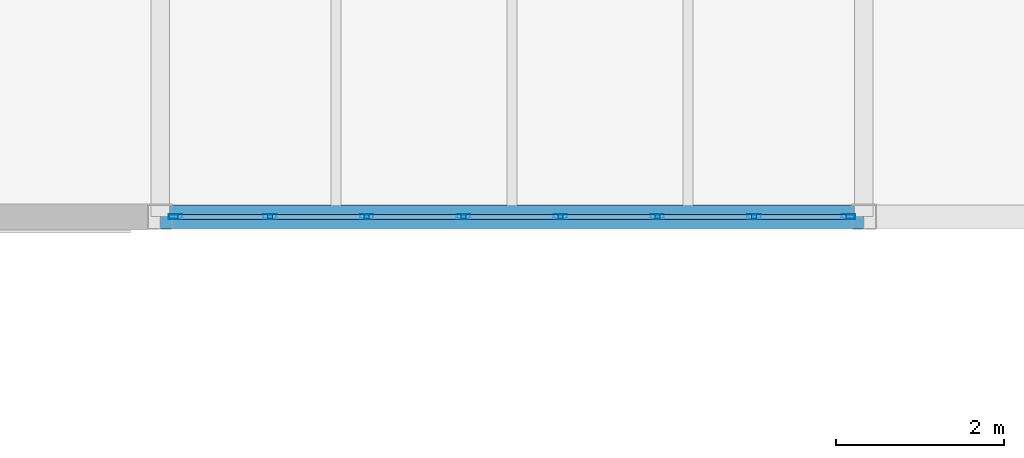
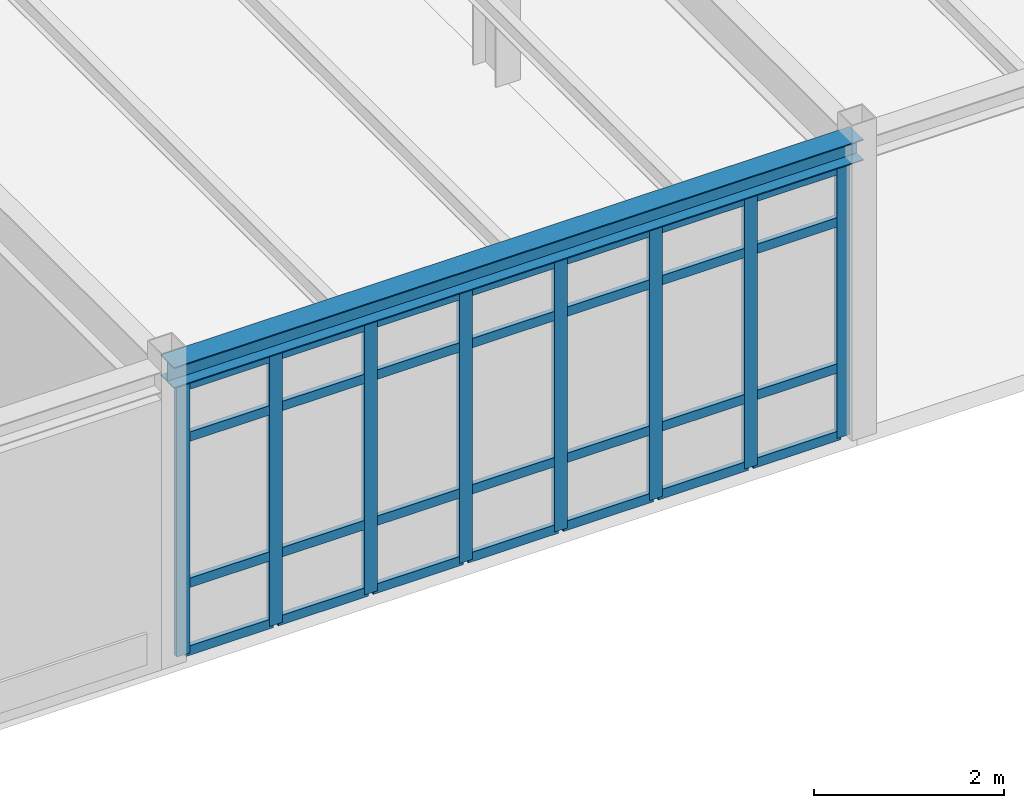
# One storey, part 81 of 165: 36 members, 1 beam, 1 element without a shape of its own.
"""IFC4 building model written with IfcOpenShell, lengths in metres."""

from ifc_helpers import new_model, si_unit, direction, frame, origin, origin_2d, place, context, subcontext, project, spatial, hollow_rectangle, i_section, extrude, material, layer, layer_set, material_profile, profile_set, type_object, element, aggregate, save


model = new_model("IFC4")

# Units and contexts
model_context = context("Model", 3, precision=1e-05, world=origin(), true_north=direction((0.0, 1.0)))
body_context = subcontext(model_context, "Body", "Model", "MODEL_VIEW")
ifc_project = project(units=[si_unit("LENGTHUNIT", "METRE"), si_unit("AREAUNIT", "SQUARE_METRE"), si_unit("VOLUMEUNIT", "CUBIC_METRE"), si_unit("PLANEANGLEUNIT", "RADIAN"), si_unit("MASSUNIT", "GRAM", prefix="KILO")], contexts=[model_context])

# Site, building, storey
site_placement = place(None, origin())
site = spatial("IfcSite", under=ifc_project, at=site_placement, CompositionType="ELEMENT")
building_placement = place(site_placement, origin())
building = spatial("IfcBuilding", under=site, at=building_placement, Name="Montecoro Central Library", CompositionType="ELEMENT")
storey_placement = place(building_placement, frame((0.0, 0.0, 5.10009765625)))
storey = spatial("IfcBuildingStorey", under=building, at=storey_placement, Name="L01", CompositionType="ELEMENT", Elevation=5.10009765625)

# Beam
ifc_material_1 = material(Name="Steel S355", Category="steel")
ifc_material_profile_1 = material_profile(ifc_material_1, i_section(OverallWidth=0.280029296875, OverallDepth=0.27001953125, WebThickness=0.008056640625, FlangeThickness=0.012939453125, at=origin_2d()), Name="HEA 280")
ifc_profile_set_1 = profile_set([ifc_material_profile_1], Name="Steel S355")
beam_type = type_object("IfcBeamType", Name="BM-SP-HEA280", PredefinedType="SPANDREL", material=ifc_profile_set_1)
beam_placement = place(storey_placement, frame((74.804931640625, 81.0, 3.68994140625), z_axis=(1.0, 0.0, 0.0), x_axis=(0.0, 1.0, 0.0)))
element("IfcBeam", 1, at=beam_placement, inside=storey, type_object=beam_type, Name="V2-L01-BX-1011-L", PredefinedType="SPANDREL", context=body_context, shape_type="SweptSolid", body=[
    extrude(i_section(OverallWidth=0.280029296875, OverallDepth=0.27001953125, WebThickness=0.008056640625, FlangeThickness=0.012939453125, at=origin_2d()), origin(), (0.0, 0.0, 1.0), 8.39013671875),
])

# Curtain wall, members
ifc_material_2 = material(Name="Bronze-anodised aluminium and low-E glazing", Category="aluminium")
ifc_layer = layer(ifc_material_2, 0.159912109375)
ifc_layer_set = layer_set([ifc_layer], Name="Bronze-anodised aluminium and low-E glazing")
curtain_wall_type = type_object("IfcCurtainWallType", Name="CWT-010", PredefinedType="NOTDEFINED", material=ifc_layer_set)
curtain_wall_placement = place(storey_placement, origin())
curtain_wall = element("IfcCurtainWall", 2, at=curtain_wall_placement, inside=storey, type_object=curtain_wall_type, Name="V2-L01-CW-S1", PredefinedType="NOTDEFINED")
ifc_material_3 = material(Name="Bronze-anodised aluminium", Category="aluminium")
ifc_material_profile_2 = material_profile(ifc_material_3, hollow_rectangle(XDim=0.06005859375, YDim=0.159912109375, WallThickness=0.00390625, at=origin_2d()), Name="CWM 160x60x4.0")
ifc_profile_set_2 = profile_set([ifc_material_profile_2], Name="Bronze-anodised aluminium")
member_type_1 = type_object("IfcMemberType", Name="CWM-BRZ-60", PredefinedType="MULLION", material=ifc_profile_set_2)
member_1_placement = place(storey_placement, frame((74.98291015625, 81.0, 0.0), z_axis=(0.0, 0.0, 1.0), x_axis=(0.0, 1.0, 0.0)))
member_1 = element("IfcMember", 3, at=member_1_placement, type_object=member_type_1, Name="CW-010 mullion 1", PredefinedType="MULLION", context=body_context, shape_type="SweptSolid", body=[
    extrude(hollow_rectangle(XDim=0.06005859375, YDim=0.159912109375, WallThickness=0.00390625, at=origin_2d()), origin(), (0.0, 0.0, 1.0), 3.47998046875),
])
member_2_placement = place(storey_placement, frame((76.109375, 81.0, 0.0), z_axis=(0.0, 0.0, 1.0), x_axis=(0.0, 1.0, 0.0)))
member_2 = element("IfcMember", 4, at=member_2_placement, type_object=member_type_1, Name="CW-010 mullion 2", PredefinedType="MULLION", context=body_context, shape_type="SweptSolid", body=[
    extrude(hollow_rectangle(XDim=0.06005859375, YDim=0.159912109375, WallThickness=0.00390625, at=origin_2d()), origin(), (0.0, 0.0, 1.0), 3.47998046875),
])
member_3_placement = place(storey_placement, frame((77.265625, 81.0, 0.0), z_axis=(0.0, 0.0, 1.0), x_axis=(0.0, 1.0, 0.0)))
member_3 = element("IfcMember", 5, at=member_3_placement, type_object=member_type_1, Name="CW-010 mullion 3", PredefinedType="MULLION", context=body_context, shape_type="SweptSolid", body=[
    extrude(hollow_rectangle(XDim=0.06005859375, YDim=0.159912109375, WallThickness=0.00390625, at=origin_2d()), origin(), (0.0, 0.0, 1.0), 3.47998046875),
])
member_4_placement = place(storey_placement, frame((78.421875, 81.0, 0.0), z_axis=(0.0, 0.0, 1.0), x_axis=(0.0, 1.0, 0.0)))
member_4 = element("IfcMember", 6, at=member_4_placement, type_object=member_type_1, Name="CW-010 mullion 4", PredefinedType="MULLION", context=body_context, shape_type="SweptSolid", body=[
    extrude(hollow_rectangle(XDim=0.06005859375, YDim=0.159912109375, WallThickness=0.00390625, at=origin_2d()), origin(), (0.0, 0.0, 1.0), 3.47998046875),
])
member_5_placement = place(storey_placement, frame((79.578125, 81.0, 0.0), z_axis=(0.0, 0.0, 1.0), x_axis=(0.0, 1.0, 0.0)))
member_5 = element("IfcMember", 7, at=member_5_placement, type_object=member_type_1, Name="CW-010 mullion 5", PredefinedType="MULLION", context=body_context, shape_type="SweptSolid", body=[
    extrude(hollow_rectangle(XDim=0.06005859375, YDim=0.159912109375, WallThickness=0.00390625, at=origin_2d()), origin(), (0.0, 0.0, 1.0), 3.47998046875),
])
member_6_placement = place(storey_placement, frame((80.734375, 81.0, 0.0), z_axis=(0.0, 0.0, 1.0), x_axis=(0.0, 1.0, 0.0)))
member_6 = element("IfcMember", 8, at=member_6_placement, type_object=member_type_1, Name="CW-010 mullion 6", PredefinedType="MULLION", context=body_context, shape_type="SweptSolid", body=[
    extrude(hollow_rectangle(XDim=0.06005859375, YDim=0.159912109375, WallThickness=0.00390625, at=origin_2d()), origin(), (0.0, 0.0, 1.0), 3.47998046875),
])
member_7_placement = place(storey_placement, frame((81.890625, 81.0, 0.0), z_axis=(0.0, 0.0, 1.0), x_axis=(0.0, 1.0, 0.0)))
member_7 = element("IfcMember", 9, at=member_7_placement, type_object=member_type_1, Name="CW-010 mullion 7", PredefinedType="MULLION", context=body_context, shape_type="SweptSolid", body=[
    extrude(hollow_rectangle(XDim=0.06005859375, YDim=0.159912109375, WallThickness=0.00390625, at=origin_2d()), origin(), (0.0, 0.0, 1.0), 3.47998046875),
])
member_8_placement = place(storey_placement, frame((83.01708984375, 81.0, 0.0), z_axis=(0.0, 0.0, 1.0), x_axis=(0.0, 1.0, 0.0)))
member_8 = element("IfcMember", 10, at=member_8_placement, type_object=member_type_1, Name="CW-010 mullion 8", PredefinedType="MULLION", context=body_context, shape_type="SweptSolid", body=[
    extrude(hollow_rectangle(XDim=0.06005859375, YDim=0.159912109375, WallThickness=0.00390625, at=origin_2d()), origin(), (0.0, 0.0, 1.0), 3.47998046875),
])
ifc_material_profile_3 = material_profile(ifc_material_3, hollow_rectangle(XDim=0.06005859375, YDim=0.1201171875, WallThickness=0.00390625, at=origin_2d()), Name="CWT 120x60x4.0")
ifc_profile_set_3 = profile_set([ifc_material_profile_3], Name="Bronze-anodised aluminium")
member_type_2 = type_object("IfcMemberType", Name="CWT-BRZ-60", PredefinedType="USERDEFINED", material=ifc_profile_set_3)
member_9_placement = place(storey_placement, frame((75.012939453125, 81.0, 0.02978515625), z_axis=(1.0, 0.0, 0.0), x_axis=(0.0, 1.0, 0.0)))
member_9 = element("IfcMember", 11, at=member_9_placement, type_object=member_type_2, Name="CW-010 transom 1.1", ObjectType="TRANSOM", PredefinedType="USERDEFINED", context=body_context, shape_type="SweptSolid", body=[
    extrude(hollow_rectangle(XDim=0.06005859375, YDim=0.1201171875, WallThickness=0.00390625, at=origin_2d()), origin(), (0.0, 0.0, 1.0), 1.06640625),
])
member_10_placement = place(storey_placement, frame((75.012939453125, 81.0, 0.89990234375), z_axis=(1.0, 0.0, 0.0), x_axis=(0.0, 1.0, 0.0)))
member_10 = element("IfcMember", 12, at=member_10_placement, type_object=member_type_2, Name="CW-010 transom 1.2", ObjectType="TRANSOM", PredefinedType="USERDEFINED", context=body_context, shape_type="SweptSolid", body=[
    extrude(hollow_rectangle(XDim=0.06005859375, YDim=0.1201171875, WallThickness=0.00390625, at=origin_2d()), origin(), (0.0, 0.0, 1.0), 1.06640625),
])
member_11_placement = place(storey_placement, frame((75.012939453125, 81.0, 2.77978515625), z_axis=(1.0, 0.0, 0.0), x_axis=(0.0, 1.0, 0.0)))
member_11 = element("IfcMember", 13, at=member_11_placement, type_object=member_type_2, Name="CW-010 transom 1.3", ObjectType="TRANSOM", PredefinedType="USERDEFINED", context=body_context, shape_type="SweptSolid", body=[
    extrude(hollow_rectangle(XDim=0.06005859375, YDim=0.1201171875, WallThickness=0.00390625, at=origin_2d()), origin(), (0.0, 0.0, 1.0), 1.06640625),
])
member_12_placement = place(storey_placement, frame((75.012939453125, 81.0, 3.449951171875), z_axis=(1.0, 0.0, 0.0), x_axis=(0.0, 1.0, 0.0)))
member_12 = element("IfcMember", 14, at=member_12_placement, type_object=member_type_2, Name="CW-010 transom 1.4", ObjectType="TRANSOM", PredefinedType="USERDEFINED", context=body_context, shape_type="SweptSolid", body=[
    extrude(hollow_rectangle(XDim=0.06005859375, YDim=0.1201171875, WallThickness=0.00390625, at=origin_2d()), origin(), (0.0, 0.0, 1.0), 1.06640625),
])
member_13_placement = place(storey_placement, frame((76.139404296875, 81.0, 0.02978515625), z_axis=(1.0, 0.0, 0.0), x_axis=(0.0, 1.0, 0.0)))
member_13 = element("IfcMember", 15, at=member_13_placement, type_object=member_type_2, Name="CW-010 transom 2.1", ObjectType="TRANSOM", PredefinedType="USERDEFINED", context=body_context, shape_type="SweptSolid", body=[
    extrude(hollow_rectangle(XDim=0.06005859375, YDim=0.1201171875, WallThickness=0.00390625, at=origin_2d()), origin(), (0.0, 0.0, 1.0), 1.09619140625),
])
member_14_placement = place(storey_placement, frame((76.139404296875, 81.0, 0.89990234375), z_axis=(1.0, 0.0, 0.0), x_axis=(0.0, 1.0, 0.0)))
member_14 = element("IfcMember", 16, at=member_14_placement, type_object=member_type_2, Name="CW-010 transom 2.2", ObjectType="TRANSOM", PredefinedType="USERDEFINED", context=body_context, shape_type="SweptSolid", body=[
    extrude(hollow_rectangle(XDim=0.06005859375, YDim=0.1201171875, WallThickness=0.00390625, at=origin_2d()), origin(), (0.0, 0.0, 1.0), 1.09619140625),
])
member_15_placement = place(storey_placement, frame((76.139404296875, 81.0, 2.77978515625), z_axis=(1.0, 0.0, 0.0), x_axis=(0.0, 1.0, 0.0)))
member_15 = element("IfcMember", 17, at=member_15_placement, type_object=member_type_2, Name="CW-010 transom 2.3", ObjectType="TRANSOM", PredefinedType="USERDEFINED", context=body_context, shape_type="SweptSolid", body=[
    extrude(hollow_rectangle(XDim=0.06005859375, YDim=0.1201171875, WallThickness=0.00390625, at=origin_2d()), origin(), (0.0, 0.0, 1.0), 1.09619140625),
])
member_16_placement = place(storey_placement, frame((76.139404296875, 81.0, 3.449951171875), z_axis=(1.0, 0.0, 0.0), x_axis=(0.0, 1.0, 0.0)))
member_16 = element("IfcMember", 18, at=member_16_placement, type_object=member_type_2, Name="CW-010 transom 2.4", ObjectType="TRANSOM", PredefinedType="USERDEFINED", context=body_context, shape_type="SweptSolid", body=[
    extrude(hollow_rectangle(XDim=0.06005859375, YDim=0.1201171875, WallThickness=0.00390625, at=origin_2d()), origin(), (0.0, 0.0, 1.0), 1.09619140625),
])
member_17_placement = place(storey_placement, frame((77.295654296875, 81.0, 0.02978515625), z_axis=(1.0, 0.0, 0.0), x_axis=(0.0, 1.0, 0.0)))
member_17 = element("IfcMember", 19, at=member_17_placement, type_object=member_type_2, Name="CW-010 transom 3.1", ObjectType="TRANSOM", PredefinedType="USERDEFINED", context=body_context, shape_type="SweptSolid", body=[
    extrude(hollow_rectangle(XDim=0.06005859375, YDim=0.1201171875, WallThickness=0.00390625, at=origin_2d()), origin(), (0.0, 0.0, 1.0), 1.09619140625),
])
member_18_placement = place(storey_placement, frame((77.295654296875, 81.0, 0.89990234375), z_axis=(1.0, 0.0, 0.0), x_axis=(0.0, 1.0, 0.0)))
member_18 = element("IfcMember", 20, at=member_18_placement, type_object=member_type_2, Name="CW-010 transom 3.2", ObjectType="TRANSOM", PredefinedType="USERDEFINED", context=body_context, shape_type="SweptSolid", body=[
    extrude(hollow_rectangle(XDim=0.06005859375, YDim=0.1201171875, WallThickness=0.00390625, at=origin_2d()), origin(), (0.0, 0.0, 1.0), 1.09619140625),
])
member_19_placement = place(storey_placement, frame((77.295654296875, 81.0, 2.77978515625), z_axis=(1.0, 0.0, 0.0), x_axis=(0.0, 1.0, 0.0)))
member_19 = element("IfcMember", 21, at=member_19_placement, type_object=member_type_2, Name="CW-010 transom 3.3", ObjectType="TRANSOM", PredefinedType="USERDEFINED", context=body_context, shape_type="SweptSolid", body=[
    extrude(hollow_rectangle(XDim=0.06005859375, YDim=0.1201171875, WallThickness=0.00390625, at=origin_2d()), origin(), (0.0, 0.0, 1.0), 1.09619140625),
])
member_20_placement = place(storey_placement, frame((77.295654296875, 81.0, 3.449951171875), z_axis=(1.0, 0.0, 0.0), x_axis=(0.0, 1.0, 0.0)))
member_20 = element("IfcMember", 22, at=member_20_placement, type_object=member_type_2, Name="CW-010 transom 3.4", ObjectType="TRANSOM", PredefinedType="USERDEFINED", context=body_context, shape_type="SweptSolid", body=[
    extrude(hollow_rectangle(XDim=0.06005859375, YDim=0.1201171875, WallThickness=0.00390625, at=origin_2d()), origin(), (0.0, 0.0, 1.0), 1.09619140625),
])
member_21_placement = place(storey_placement, frame((78.451904296875, 81.0, 0.02978515625), z_axis=(1.0, 0.0, 0.0), x_axis=(0.0, 1.0, 0.0)))
member_21 = element("IfcMember", 23, at=member_21_placement, type_object=member_type_2, Name="CW-010 transom 4.1", ObjectType="TRANSOM", PredefinedType="USERDEFINED", context=body_context, shape_type="SweptSolid", body=[
    extrude(hollow_rectangle(XDim=0.06005859375, YDim=0.1201171875, WallThickness=0.00390625, at=origin_2d()), origin(), (0.0, 0.0, 1.0), 1.09619140625),
])
member_22_placement = place(storey_placement, frame((78.451904296875, 81.0, 0.89990234375), z_axis=(1.0, 0.0, 0.0), x_axis=(0.0, 1.0, 0.0)))
member_22 = element("IfcMember", 24, at=member_22_placement, type_object=member_type_2, Name="CW-010 transom 4.2", ObjectType="TRANSOM", PredefinedType="USERDEFINED", context=body_context, shape_type="SweptSolid", body=[
    extrude(hollow_rectangle(XDim=0.06005859375, YDim=0.1201171875, WallThickness=0.00390625, at=origin_2d()), origin(), (0.0, 0.0, 1.0), 1.09619140625),
])
member_23_placement = place(storey_placement, frame((78.451904296875, 81.0, 2.77978515625), z_axis=(1.0, 0.0, 0.0), x_axis=(0.0, 1.0, 0.0)))
member_23 = element("IfcMember", 25, at=member_23_placement, type_object=member_type_2, Name="CW-010 transom 4.3", ObjectType="TRANSOM", PredefinedType="USERDEFINED", context=body_context, shape_type="SweptSolid", body=[
    extrude(hollow_rectangle(XDim=0.06005859375, YDim=0.1201171875, WallThickness=0.00390625, at=origin_2d()), origin(), (0.0, 0.0, 1.0), 1.09619140625),
])
member_24_placement = place(storey_placement, frame((78.451904296875, 81.0, 3.449951171875), z_axis=(1.0, 0.0, 0.0), x_axis=(0.0, 1.0, 0.0)))
member_24 = element("IfcMember", 26, at=member_24_placement, type_object=member_type_2, Name="CW-010 transom 4.4", ObjectType="TRANSOM", PredefinedType="USERDEFINED", context=body_context, shape_type="SweptSolid", body=[
    extrude(hollow_rectangle(XDim=0.06005859375, YDim=0.1201171875, WallThickness=0.00390625, at=origin_2d()), origin(), (0.0, 0.0, 1.0), 1.09619140625),
])
member_25_placement = place(storey_placement, frame((79.608154296875, 81.0, 0.02978515625), z_axis=(1.0, 0.0, 0.0), x_axis=(0.0, 1.0, 0.0)))
member_25 = element("IfcMember", 27, at=member_25_placement, type_object=member_type_2, Name="CW-010 transom 5.1", ObjectType="TRANSOM", PredefinedType="USERDEFINED", context=body_context, shape_type="SweptSolid", body=[
    extrude(hollow_rectangle(XDim=0.06005859375, YDim=0.1201171875, WallThickness=0.00390625, at=origin_2d()), origin(), (0.0, 0.0, 1.0), 1.09619140625),
])
member_26_placement = place(storey_placement, frame((79.608154296875, 81.0, 0.89990234375), z_axis=(1.0, 0.0, 0.0), x_axis=(0.0, 1.0, 0.0)))
member_26 = element("IfcMember", 28, at=member_26_placement, type_object=member_type_2, Name="CW-010 transom 5.2", ObjectType="TRANSOM", PredefinedType="USERDEFINED", context=body_context, shape_type="SweptSolid", body=[
    extrude(hollow_rectangle(XDim=0.06005859375, YDim=0.1201171875, WallThickness=0.00390625, at=origin_2d()), origin(), (0.0, 0.0, 1.0), 1.09619140625),
])
member_27_placement = place(storey_placement, frame((79.608154296875, 81.0, 2.77978515625), z_axis=(1.0, 0.0, 0.0), x_axis=(0.0, 1.0, 0.0)))
member_27 = element("IfcMember", 29, at=member_27_placement, type_object=member_type_2, Name="CW-010 transom 5.3", ObjectType="TRANSOM", PredefinedType="USERDEFINED", context=body_context, shape_type="SweptSolid", body=[
    extrude(hollow_rectangle(XDim=0.06005859375, YDim=0.1201171875, WallThickness=0.00390625, at=origin_2d()), origin(), (0.0, 0.0, 1.0), 1.09619140625),
])
member_28_placement = place(storey_placement, frame((79.608154296875, 81.0, 3.449951171875), z_axis=(1.0, 0.0, 0.0), x_axis=(0.0, 1.0, 0.0)))
member_28 = element("IfcMember", 30, at=member_28_placement, type_object=member_type_2, Name="CW-010 transom 5.4", ObjectType="TRANSOM", PredefinedType="USERDEFINED", context=body_context, shape_type="SweptSolid", body=[
    extrude(hollow_rectangle(XDim=0.06005859375, YDim=0.1201171875, WallThickness=0.00390625, at=origin_2d()), origin(), (0.0, 0.0, 1.0), 1.09619140625),
])
member_29_placement = place(storey_placement, frame((80.764404296875, 81.0, 0.02978515625), z_axis=(1.0, 0.0, 0.0), x_axis=(0.0, 1.0, 0.0)))
member_29 = element("IfcMember", 31, at=member_29_placement, type_object=member_type_2, Name="CW-010 transom 6.1", ObjectType="TRANSOM", PredefinedType="USERDEFINED", context=body_context, shape_type="SweptSolid", body=[
    extrude(hollow_rectangle(XDim=0.06005859375, YDim=0.1201171875, WallThickness=0.00390625, at=origin_2d()), origin(), (0.0, 0.0, 1.0), 1.09619140625),
])
member_30_placement = place(storey_placement, frame((80.764404296875, 81.0, 0.89990234375), z_axis=(1.0, 0.0, 0.0), x_axis=(0.0, 1.0, 0.0)))
member_30 = element("IfcMember", 32, at=member_30_placement, type_object=member_type_2, Name="CW-010 transom 6.2", ObjectType="TRANSOM", PredefinedType="USERDEFINED", context=body_context, shape_type="SweptSolid", body=[
    extrude(hollow_rectangle(XDim=0.06005859375, YDim=0.1201171875, WallThickness=0.00390625, at=origin_2d()), origin(), (0.0, 0.0, 1.0), 1.09619140625),
])
member_31_placement = place(storey_placement, frame((80.764404296875, 81.0, 2.77978515625), z_axis=(1.0, 0.0, 0.0), x_axis=(0.0, 1.0, 0.0)))
member_31 = element("IfcMember", 33, at=member_31_placement, type_object=member_type_2, Name="CW-010 transom 6.3", ObjectType="TRANSOM", PredefinedType="USERDEFINED", context=body_context, shape_type="SweptSolid", body=[
    extrude(hollow_rectangle(XDim=0.06005859375, YDim=0.1201171875, WallThickness=0.00390625, at=origin_2d()), origin(), (0.0, 0.0, 1.0), 1.09619140625),
])
member_32_placement = place(storey_placement, frame((80.764404296875, 81.0, 3.449951171875), z_axis=(1.0, 0.0, 0.0), x_axis=(0.0, 1.0, 0.0)))
member_32 = element("IfcMember", 34, at=member_32_placement, type_object=member_type_2, Name="CW-010 transom 6.4", ObjectType="TRANSOM", PredefinedType="USERDEFINED", context=body_context, shape_type="SweptSolid", body=[
    extrude(hollow_rectangle(XDim=0.06005859375, YDim=0.1201171875, WallThickness=0.00390625, at=origin_2d()), origin(), (0.0, 0.0, 1.0), 1.09619140625),
])
member_33_placement = place(storey_placement, frame((81.920654296875, 81.0, 0.02978515625), z_axis=(1.0, 0.0, 0.0), x_axis=(0.0, 1.0, 0.0)))
member_33 = element("IfcMember", 35, at=member_33_placement, type_object=member_type_2, Name="CW-010 transom 7.1", ObjectType="TRANSOM", PredefinedType="USERDEFINED", context=body_context, shape_type="SweptSolid", body=[
    extrude(hollow_rectangle(XDim=0.06005859375, YDim=0.1201171875, WallThickness=0.00390625, at=origin_2d()), origin(), (0.0, 0.0, 1.0), 1.06640625),
])
member_34_placement = place(storey_placement, frame((81.920654296875, 81.0, 0.89990234375), z_axis=(1.0, 0.0, 0.0), x_axis=(0.0, 1.0, 0.0)))
member_34 = element("IfcMember", 36, at=member_34_placement, type_object=member_type_2, Name="CW-010 transom 7.2", ObjectType="TRANSOM", PredefinedType="USERDEFINED", context=body_context, shape_type="SweptSolid", body=[
    extrude(hollow_rectangle(XDim=0.06005859375, YDim=0.1201171875, WallThickness=0.00390625, at=origin_2d()), origin(), (0.0, 0.0, 1.0), 1.06640625),
])
member_35_placement = place(storey_placement, frame((81.920654296875, 81.0, 2.77978515625), z_axis=(1.0, 0.0, 0.0), x_axis=(0.0, 1.0, 0.0)))
member_35 = element("IfcMember", 37, at=member_35_placement, type_object=member_type_2, Name="CW-010 transom 7.3", ObjectType="TRANSOM", PredefinedType="USERDEFINED", context=body_context, shape_type="SweptSolid", body=[
    extrude(hollow_rectangle(XDim=0.06005859375, YDim=0.1201171875, WallThickness=0.00390625, at=origin_2d()), origin(), (0.0, 0.0, 1.0), 1.06640625),
])
member_36_placement = place(storey_placement, frame((81.920654296875, 81.0, 3.449951171875), z_axis=(1.0, 0.0, 0.0), x_axis=(0.0, 1.0, 0.0)))
member_36 = element("IfcMember", 38, at=member_36_placement, type_object=member_type_2, Name="CW-010 transom 7.4", ObjectType="TRANSOM", PredefinedType="USERDEFINED", context=body_context, shape_type="SweptSolid", body=[
    extrude(hollow_rectangle(XDim=0.06005859375, YDim=0.1201171875, WallThickness=0.00390625, at=origin_2d()), origin(), (0.0, 0.0, 1.0), 1.06640625),
])
aggregate(curtain_wall, [member_1, member_2, member_3, member_4, member_5, member_6, member_7, member_8, member_9, member_10, member_11, member_12, member_13, member_14, member_15, member_16, member_17, member_18, member_19, member_20, member_21, member_22, member_23, member_24, member_25, member_26, member_27, member_28, member_29, member_30, member_31, member_32, member_33, member_34, member_35, member_36])

save(model, "model.ifc")
